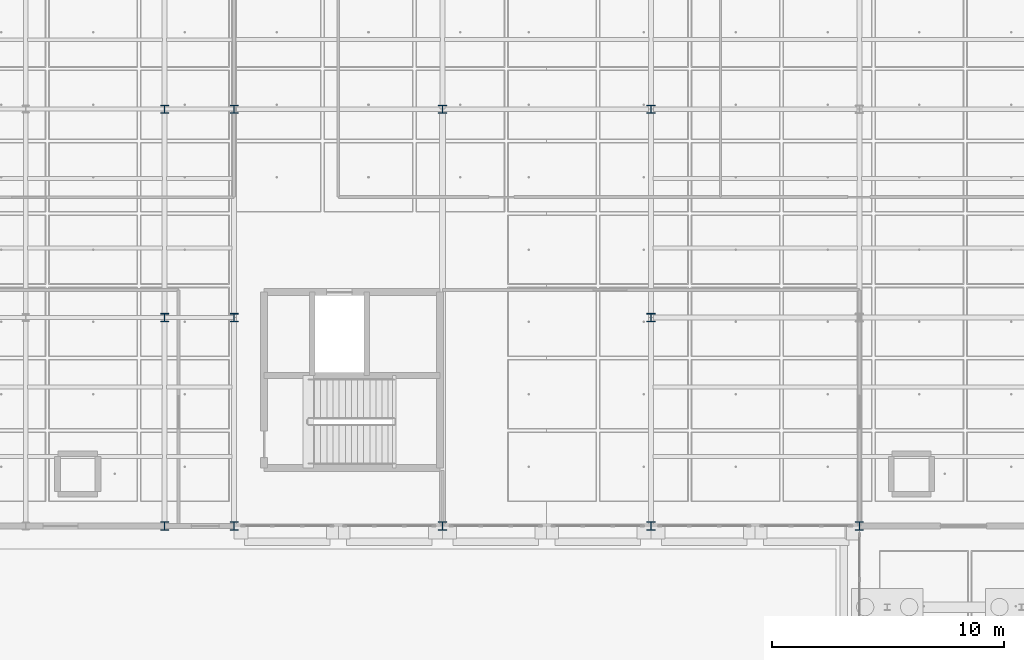
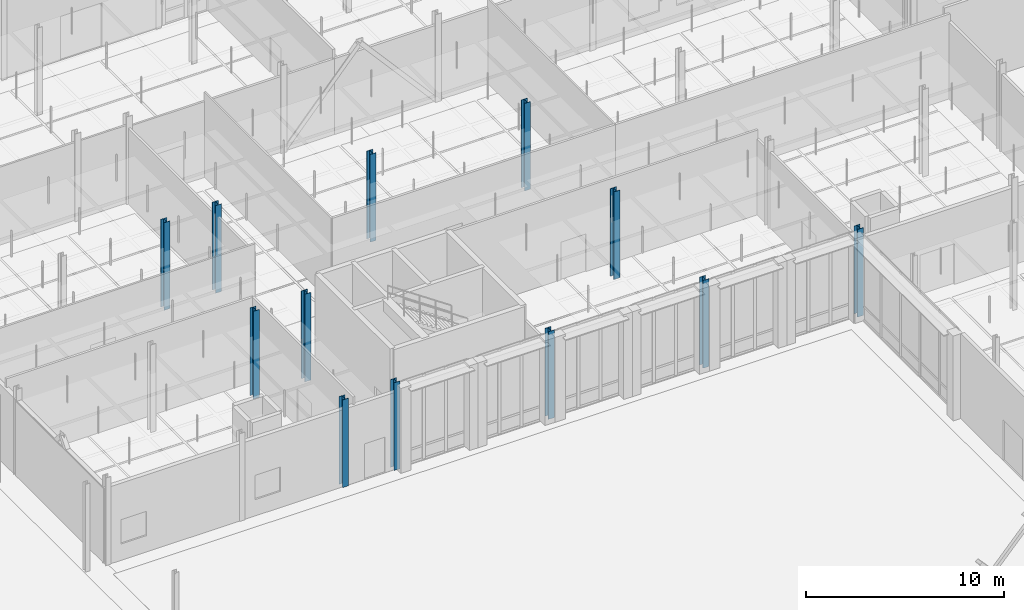
# One storey, part 20 of 180: 12 columns.
"""IFC4 building model written with IfcOpenShell, lengths in metres."""

from ifc_helpers import new_model, si_unit, direction, frame, origin, origin_2d, place, context, subcontext, project, spatial, i_section, extrude, material, material_profile, profile_set, type_object, element, save


model = new_model("IFC4")

# Units and contexts
model_context = context("Model", 3, precision=1e-05, world=origin(), true_north=direction((0.0, 1.0)))
body_context = subcontext(model_context, "Body", "Model", "MODEL_VIEW")
ifc_project = project(units=[si_unit("LENGTHUNIT", "METRE"), si_unit("AREAUNIT", "SQUARE_METRE"), si_unit("VOLUMEUNIT", "CUBIC_METRE"), si_unit("PLANEANGLEUNIT", "RADIAN"), si_unit("MASSUNIT", "GRAM", prefix="KILO"), si_unit("THERMODYNAMICTEMPERATUREUNIT", "KELVIN"), si_unit("POWERUNIT", "WATT")], contexts=[model_context])

# Site, building, storey
site_placement = place(None, origin())
site = spatial("IfcSite", under=ifc_project, at=site_placement, CompositionType="ELEMENT")
building_placement = place(site_placement, origin())
building = spatial("IfcBuilding", under=site, at=building_placement, Name="Tallowbark Science Centre", CompositionType="ELEMENT")
storey_placement = place(building_placement, origin())
storey = spatial("IfcBuildingStorey", under=building, at=storey_placement, Name="L00", CompositionType="ELEMENT", Elevation=0.0)

# Columns
ifc_material = material(Name="Structural Steel Grade 300PLUS (300 MPa)", Category="steel")
ifc_material_profile = material_profile(ifc_material, i_section(OverallWidth=0.35009765625, OverallDepth=0.35888671875, WebThickness=0.01611328125, FlangeThickness=0.02392578125, FilletRadius=0.013916015625, at=origin_2d()), Name="350WC197")
ifc_profile_set = profile_set([ifc_material_profile], Name="Structural Steel Grade 300PLUS (300 MPa)")
column_type = type_object("IfcColumnType", Name="COL-WC350", PredefinedType="COLUMN", material=ifc_profile_set)
for number, where, z_axis, x_axis, name in (
    (1, (69.0, 72.0, 0.0), (0.0, 0.0, 1.0), (1.0, 0.0, 0.0), "Column LAB-2_0 L00"),
    (2, (69.0, 81.0, 0.0), (0.0, 0.0, 1.0), (1.0, 0.0, 0.0), "Column LAB-2_1 L00"),
    (3, (69.0, 90.0, 0.0), (0.0, 0.0, 1.0), (1.0, 0.0, 0.0), "Column LAB-2_2 L00"),
    (4, (72.0, 72.0, 0.0), (0.0, 0.0, 1.0), (1.0, 0.0, 0.0), "Column LAB-3_0 L00"),
    (5, (72.0, 81.0, 0.0), (0.0, 0.0, 1.0), (1.0, 0.0, 0.0), "Column LAB-3_1 L00"),
    (6, (72.0, 90.0, 0.0), (0.0, 0.0, 1.0), (1.0, 0.0, 0.0), "Column LAB-3_2 L00"),
    (7, (81.0, 72.0, 0.0), (0.0, 0.0, 1.0), (1.0, 0.0, 0.0), "Column LAB-4_0 L00"),
    (8, (81.0, 90.0, 0.0), (0.0, 0.0, 1.0), (1.0, 0.0, 0.0), "Column LAB-4_2 L00"),
    (9, (90.0, 72.0, 0.0), (0.0, 0.0, 1.0), (1.0, 0.0, 0.0), "Column LAB-5_0 L00"),
    (10, (90.0, 81.0, 0.0), (0.0, 0.0, 1.0), (1.0, 0.0, 0.0), "Column LAB-5_1 L00"),
    (11, (90.0, 90.0, 0.0), (0.0, 0.0, 1.0), (1.0, 0.0, 0.0), "Column LAB-5_2 L00"),
    (12, (99.0, 72.0, 0.0), (0.0, 0.0, 1.0), (1.0, 0.0, 0.0), "Column LAB-6_0 L00"),
):
    element("IfcColumn", number, at=place(storey_placement, frame(where, z_axis=z_axis, x_axis=x_axis)), inside=storey, type_object=column_type, Name=name, PredefinedType="COLUMN", context=body_context, shape_type="SweptSolid", body=[
        extrude(i_section(OverallWidth=0.35009765625, OverallDepth=0.35888671875, WebThickness=0.01611328125, FlangeThickness=0.02392578125, FilletRadius=0.013916015625, at=origin_2d()), origin(), (0.0, 0.0, 1.0), 5.39990234375),
    ])

save(model, "model.ifc")
